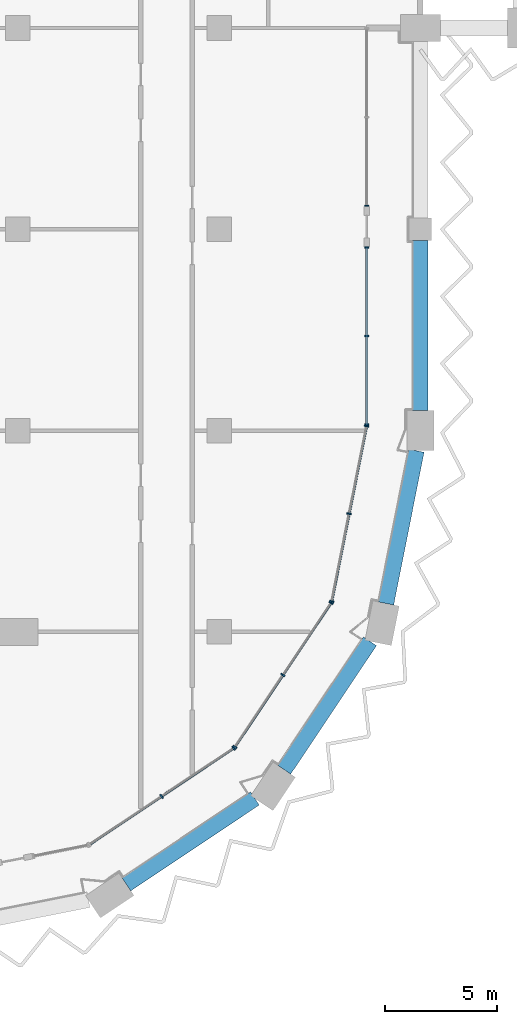
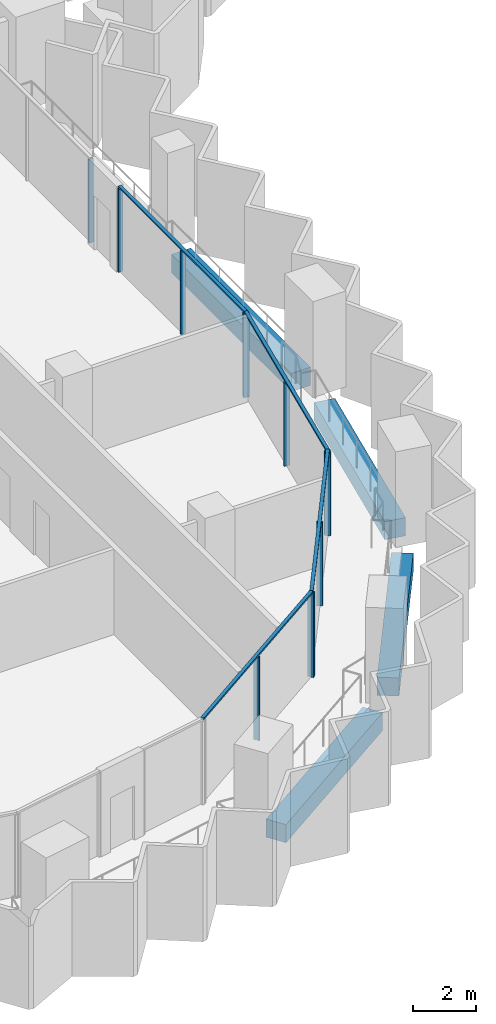
# One storey, part 3 of 17: 16 members, 4 beams, 5 elements without a shape of their own.
"""IFC4 building model written with IfcOpenShell, lengths in metres."""

import ifcopenshell
import ifcopenshell.guid

model = None  # the IFC model being written
_history = None  # IfcOwnerHistory: only IFC2X3 demands one
_inside = {}  # id of a spatial element -> (the spatial element, [elements in it])
_under = {}  # id of a project, library or spatial element -> (it, [spatial elements below it])
_declared = {}  # id of a project -> (the project, [libraries it declares])
_typed = {}  # id of a type object -> (the type object, [elements of that type])
_made_of = {}  # id of a material, layer set ... -> (it, [elements and type objects made of it])


def new_model(schema):
    """Start an empty IFC model of exactly this schema.

    Asked for "IFC4X3", IfcOpenShell would pick the latest addendum, in which some entities
    have other attributes; the version numbers below select the first issue.
    IFC2X3 requires an IfcOwnerHistory on every rooted entity: one is made here for all.
    """
    global model, _history
    if schema == "IFC4X3":
        model = ifcopenshell.file(schema_version=(4, 3, 0, 0))
    else:
        model = ifcopenshell.file(schema=schema)
    _inside.clear()
    _under.clear()
    _declared.clear()
    _typed.clear()
    _made_of.clear()
    _history = None
    if model.schema == "IFC2X3":
        org = make("IfcOrganization", Name="unknown")
        user = make(
            "IfcPersonAndOrganization",
            ThePerson=make("IfcPerson", FamilyName="unknown"),
            TheOrganization=org,
        )
        app = make(
            "IfcApplication",
            ApplicationDeveloper=org,
            Version="unknown",
            ApplicationFullName="unknown",
            ApplicationIdentifier="unknown",
        )
        _history = make(
            "IfcOwnerHistory",
            OwningUser=user,
            OwningApplication=app,
            ChangeAction="ADDED",
            CreationDate=0,
        )
    return model


def make(cls, **values):
    """One entity of the class cls with the attributes given. An attribute that is None is left unset."""
    return model.create_entity(
        cls, **{name: value for name, value in values.items() if value is not None}
    )


def rooted(cls, **values):
    """An entity with a GlobalId (a new one), such as an element, a storey or a relation."""
    return make(cls, GlobalId=ifcopenshell.guid.new(), OwnerHistory=_history, **values)


def si_unit(unit_type, name, prefix=None):
    """IfcSIUnit, for example si_unit("LENGTHUNIT", "METRE", prefix="MILLI")."""
    return make("IfcSIUnit", UnitType=unit_type, Prefix=prefix, Name=name)


def assignment(units):
    """IfcUnitAssignment: the units of a project."""
    return None if units is None else make("IfcUnitAssignment", Units=units)


def point(xyz):
    """IfcCartesianPoint."""
    return None if xyz is None else make("IfcCartesianPoint", Coordinates=xyz)


def direction(xyz):
    """IfcDirection."""
    return None if xyz is None else make("IfcDirection", DirectionRatios=xyz)


def frame(location, z_axis=None, x_axis=None):
    """IfcAxis2Placement3D, a coordinate frame: its origin and axes. An axis left out is left unset."""
    return make(
        "IfcAxis2Placement3D",
        Location=point(location),
        Axis=direction(z_axis),
        RefDirection=direction(x_axis),
    )


def frame_2d(location, x_axis=None):
    """IfcAxis2Placement2D, a coordinate frame in the plane: its origin and x axis."""
    return make(
        "IfcAxis2Placement2D", Location=point(location), RefDirection=direction(x_axis)
    )


def origin():
    """The frame at (0, 0, 0) with its axes left unset."""
    return frame((0.0, 0.0, 0.0))


def origin_2d():
    """The frame at (0, 0) in the plane with its x axis left unset."""
    return frame_2d((0.0, 0.0))


def place(relative_to, where):
    """IfcLocalPlacement: puts the frame where relative to a parent placement (None: the world)."""
    return make(
        "IfcLocalPlacement", PlacementRelTo=relative_to, RelativePlacement=where
    )


def context(
    kind, dimensions, precision=None, world=None, true_north=None, identifier=None
):
    """IfcGeometricRepresentationContext, for example the 3D "Model" context."""
    return make(
        "IfcGeometricRepresentationContext",
        ContextIdentifier=identifier,
        ContextType=kind,
        CoordinateSpaceDimension=dimensions,
        Precision=precision,
        WorldCoordinateSystem=world,
        TrueNorth=true_north,
    )


def subcontext(parent, identifier, kind, view, scale=None):
    """IfcGeometricRepresentationSubContext, for example "Body" below "Model"."""
    return make(
        "IfcGeometricRepresentationSubContext",
        ContextIdentifier=identifier,
        ContextType=kind,
        ParentContext=parent,
        TargetScale=scale,
        TargetView=view,
    )


def project(units=None, contexts=None):
    """IfcProject with its units and contexts."""
    return rooted(
        "IfcProject",
        Name="project",
        RepresentationContexts=contexts,
        UnitsInContext=assignment(units),
    )


def spatial(cls, under=None, at=None, **own):
    """A site, building, storey or space (cls), placed at a placement, below another one or the project."""
    s = rooted(cls, ObjectPlacement=at, **own)
    if under is not None:
        _under.setdefault(under.id(), (under, []))[1].append(s)
    return s


def profile(cls, at=None, kind="AREA", **sizes):
    """A parametric profile (cls). Its sizes go by their IFC names, for example OverallWidth=200.0."""
    return make(cls, ProfileType=kind, Position=at, **sizes)


def rectangle(**sizes):
    """IfcRectangleProfileDef."""
    return profile("IfcRectangleProfileDef", **sizes)


def extrude(swept, where, along, depth):
    """IfcExtrudedAreaSolid: the profile swept, set in the frame where, extruded along a direction by depth."""
    return make(
        "IfcExtrudedAreaSolid",
        SweptArea=swept,
        Position=where,
        ExtrudedDirection=direction(along),
        Depth=depth,
    )


def shape(context_of_items, identifier, shape_type, items):
    """IfcShapeRepresentation: the items that make up one representation, for example the "Body"."""
    return make(
        "IfcShapeRepresentation",
        ContextOfItems=context_of_items,
        RepresentationIdentifier=identifier,
        RepresentationType=shape_type,
        Items=items,
    )


def material(Name=None, Category=None):
    """IfcMaterial."""
    return make("IfcMaterial", Name=Name, Category=Category)


def material_profile(
    of_material, cross_section, Name=None, Category=None, Priority=None
):
    """IfcMaterialProfile: a cross section and its material."""
    return make(
        "IfcMaterialProfile",
        Name=Name,
        Material=of_material,
        Profile=cross_section,
        Priority=Priority,
        Category=Category,
    )


def profile_set(profiles, Name=None, composite=None):
    """IfcMaterialProfileSet."""
    return make(
        "IfcMaterialProfileSet",
        Name=Name,
        MaterialProfiles=profiles,
        CompositeProfile=composite,
    )


def made_of(thing, what):
    """Note that an element or type object is made of a material, layer set ...; save() writes the relation."""
    if what is not None:
        _made_of.setdefault(what.id(), (what, []))[1].append(thing)
    return thing


def type_object(cls, material=None, **own):
    """A type object (cls), such as IfcWallType, which elements share."""
    return made_of(rooted(cls, **own), material)


def element(
    cls,
    number,
    at=None,
    inside=None,
    cuts=None,
    type_object=None,
    material=None,
    context=None,
    identifier="Body",
    shape_type=None,
    held_by="IfcProductDefinitionShape",
    body=None,
    shapes=None,
    **own,
):
    """One element of the class cls, such as IfcWall. Its Tag is "e" and its number.

    at: its placement. inside: the storey or other place that contains it. cuts: it is an
    opening in that element (IfcRelVoidsElement). A single representation is given by context,
    identifier, shape_type and body (its items); several are given by shapes. held_by: the class
    of the entity that holds the representations. save() writes the other relations.
    """
    e = rooted(cls, Tag="e%d" % number, ObjectPlacement=at, **own)
    if body is not None:
        shapes = [shape(context, identifier, shape_type, body)]
    if shapes is not None:
        e.Representation = make(held_by, Representations=shapes)
    if inside is not None:
        _inside.setdefault(inside.id(), (inside, []))[1].append(e)
    if cuts is not None:
        rooted(
            "IfcRelVoidsElement", RelatingBuildingElement=cuts, RelatedOpeningElement=e
        )
    if type_object is not None:
        _typed.setdefault(type_object.id(), (type_object, []))[1].append(e)
    return made_of(e, material)


def aggregate(whole, parts):
    """IfcRelAggregates: a whole, such as a stair, and the parts it consists of."""
    return rooted("IfcRelAggregates", RelatingObject=whole, RelatedObjects=parts)


def save(model, path):
    """Write the relations noted so far, then the file.

    IfcRelAggregates (storeys below a building ...), IfcRelContainedInSpatialStructure (elements
    in a storey), IfcRelDefinesByType, IfcRelAssociatesMaterial and IfcRelDeclares: one each for
    every whole, place, type object, material and project.
    """
    for whole, parts in _under.values():
        aggregate(whole, parts)
    for where, things in _inside.values():
        rooted(
            "IfcRelContainedInSpatialStructure",
            RelatedElements=things,
            RelatingStructure=where,
        )
    for kind, things in _typed.values():
        rooted("IfcRelDefinesByType", RelatedObjects=things, RelatingType=kind)
    for what, things in _made_of.values():
        rooted("IfcRelAssociatesMaterial", RelatedObjects=things, RelatingMaterial=what)
    for by, libraries in _declared.values():
        rooted("IfcRelDeclares", RelatingContext=by, RelatedDefinitions=libraries)
    model.write(path)


model = new_model("IFC4")

# Units and contexts
model_context = context("Model", 3, precision=1e-05, world=origin(), true_north=direction((0.0, 1.0)))
body_context = subcontext(model_context, "Body", "Model", "MODEL_VIEW")
ifc_project = project(units=[si_unit("LENGTHUNIT", "METRE"), si_unit("AREAUNIT", "SQUARE_METRE"), si_unit("VOLUMEUNIT", "CUBIC_METRE"), si_unit("PLANEANGLEUNIT", "RADIAN"), si_unit("MASSUNIT", "GRAM", prefix="KILO")], contexts=[model_context])

# Site, building, storey
site_placement = place(None, origin())
site = spatial("IfcSite", under=ifc_project, at=site_placement, CompositionType="ELEMENT")
building_placement = place(site_placement, origin())
building = spatial("IfcBuilding", under=site, at=building_placement, Name="Hunhe Ridgeline Campus", CompositionType="ELEMENT")
storey_placement = place(building_placement, frame((0.0, 0.0, 186.5)))
storey = spatial("IfcBuildingStorey", under=building, at=storey_placement, Name="L47", CompositionType="ELEMENT", Elevation=186.5)

# Curtain wall, members
ifc_material_1 = material(Name="Aluminium 6063", Category="aluminium")
curtain_wall_type_1 = type_object("IfcCurtainWallType", Name="Curtain wall CW-1", PredefinedType="NOTDEFINED", material=ifc_material_1)
curtain_wall_1_placement = place(storey_placement, origin())
curtain_wall_1 = element("IfcCurtainWall", 1, at=curtain_wall_1_placement, inside=storey, type_object=curtain_wall_type_1, Name="Curtain wall 11", PredefinedType="NOTDEFINED")
ifc_material_profile_1 = material_profile(ifc_material_1, rectangle(XDim=0.159912109375, YDim=0.06005859375, at=origin_2d()))
ifc_profile_set_1 = profile_set([ifc_material_profile_1], Name="Aluminium 6063")
member_type_1 = type_object("IfcMemberType", Name="CW-1 aluminium mullion", PredefinedType="MULLION", material=ifc_profile_set_1)
member_1_placement = place(storey_placement, frame((42.59912109375, 36.266357421875, 0.0), z_axis=(0.0, 0.0, 1.0), x_axis=(-0.999999999978, 6.639948e-06, 0.0)))
member_1 = element("IfcMember", 2, at=member_1_placement, type_object=member_type_1, Name="CW-1 mullion 1", PredefinedType="MULLION", context=body_context, shape_type="SweptSolid", body=[
    extrude(rectangle(XDim=0.159912109375, YDim=0.06005859375, at=origin_2d()), origin(), (0.0, 0.0, 1.0), 3.239990234375),
])
member_2_placement = place(storey_placement, frame((42.59912109375, 40.2275390625, 0.0), z_axis=(0.0, 0.0, 1.0), x_axis=(-0.999999999978, 6.639948e-06, 0.0)))
member_2 = element("IfcMember", 3, at=member_2_placement, type_object=member_type_1, Name="CW-1 mullion 2", PredefinedType="MULLION", context=body_context, shape_type="SweptSolid", body=[
    extrude(rectangle(XDim=0.159912109375, YDim=0.06005859375, at=origin_2d()), origin(), (0.0, 0.0, 1.0), 3.239990234375),
])
member_3_placement = place(storey_placement, frame((42.59912109375, 44.1884765625, 0.0), z_axis=(0.0, 0.0, 1.0), x_axis=(-0.999999999978, 6.639948e-06, 0.0)))
member_3 = element("IfcMember", 4, at=member_3_placement, type_object=member_type_1, Name="CW-1 mullion 3", PredefinedType="MULLION", context=body_context, shape_type="SweptSolid", body=[
    extrude(rectangle(XDim=0.159912109375, YDim=0.06005859375, at=origin_2d()), origin(), (0.0, 0.0, 1.0), 3.239990234375),
])

# Curtain wall, member
curtain_wall_2_placement = place(storey_placement, origin())
curtain_wall_2 = element("IfcCurtainWall", 5, at=curtain_wall_2_placement, inside=storey, type_object=curtain_wall_type_1, Name="Curtain wall 12", PredefinedType="NOTDEFINED")
member_4_placement = place(storey_placement, frame((42.59912109375, 46.048583984375, 0.0), z_axis=(0.0, 0.0, 1.0), x_axis=(-0.999999999978, 6.639948e-06, 0.0)))
member_4 = element("IfcMember", 6, at=member_4_placement, type_object=member_type_1, Name="CW-1 mullion 1", PredefinedType="MULLION", context=body_context, shape_type="SweptSolid", body=[
    extrude(rectangle(XDim=0.159912109375, YDim=0.06005859375, at=origin_2d()), origin(), (0.0, 0.0, 1.0), 3.239990234375),
])
aggregate(curtain_wall_2, [member_4])

# Member
ifc_material_profile_2 = material_profile(ifc_material_1, rectangle(XDim=0.1201171875, YDim=0.06005859375, at=origin_2d()))
ifc_profile_set_2 = profile_set([ifc_material_profile_2], Name="Aluminium 6063")
member_type_2 = type_object("IfcMemberType", Name="CW-1 aluminium transom", PredefinedType="USERDEFINED", material=ifc_profile_set_2)
member_5_placement = place(storey_placement, frame((42.59912109375, 36.236572265625, 3.27001953125), z_axis=(0.0, 1.0, 0.0), x_axis=(-1.0, 0.0, 0.0)))
member_5 = element("IfcMember", 7, at=member_5_placement, type_object=member_type_2, Name="CW-1 transom 1", ObjectType="TRANSOM", PredefinedType="USERDEFINED", context=body_context, shape_type="SweptSolid", body=[
    extrude(rectangle(XDim=0.1201171875, YDim=0.06005859375, at=origin_2d()), origin(), (0.0, 0.0, 1.0), 7.98193359375),
])

aggregate(curtain_wall_1, [member_5, member_1, member_2, member_3])

# Curtain wall, members
curtain_wall_type_2 = type_object("IfcCurtainWallType", Name="Curtain wall CW-5", PredefinedType="NOTDEFINED", material=ifc_material_1)
curtain_wall_3_placement = place(storey_placement, origin())
curtain_wall_3 = element("IfcCurtainWall", 8, at=curtain_wall_3_placement, inside=storey, type_object=curtain_wall_type_2, Name="Curtain wall 08", PredefinedType="NOTDEFINED")
ifc_material_profile_3 = material_profile(ifc_material_1, rectangle(XDim=0.199951171875, YDim=0.070068359375, at=origin_2d()))
ifc_profile_set_3 = profile_set([ifc_material_profile_3], Name="Aluminium 6063")
member_type_3 = type_object("IfcMemberType", Name="CW-5 aluminium mullion", PredefinedType="MULLION", material=ifc_profile_set_3)
member_6_placement = place(storey_placement, frame((33.42626953125, 19.647705078125, 0.0), z_axis=(0.0, 0.0, 1.0), x_axis=(-0.555570274596, 0.831469584522, 0.0)))
member_6 = element("IfcMember", 9, at=member_6_placement, type_object=member_type_3, Name="CW-5 mullion 2", PredefinedType="MULLION", context=body_context, shape_type="SweptSolid", body=[
    extrude(rectangle(XDim=0.199951171875, YDim=0.070068359375, at=origin_2d()), origin(), (0.0, 0.0, 1.0), 3.22998046875),
])
member_7_placement = place(storey_placement, frame((36.649658203125, 21.8017578125, 0.0), z_axis=(0.0, 0.0, 1.0), x_axis=(-0.555570274596, 0.831469584522, 0.0)))
member_7 = element("IfcMember", 10, at=member_7_placement, type_object=member_type_3, Name="CW-5 mullion 3", PredefinedType="MULLION", context=body_context, shape_type="SweptSolid", body=[
    extrude(rectangle(XDim=0.199951171875, YDim=0.070068359375, at=origin_2d()), origin(), (0.0, 0.0, 1.0), 3.22998046875),
])

curtain_wall_4_placement = place(storey_placement, origin())
curtain_wall_4 = element("IfcCurtainWall", 11, at=curtain_wall_4_placement, inside=storey, type_object=curtain_wall_type_2, Name="Curtain wall 09", PredefinedType="NOTDEFINED")
member_8_placement = place(storey_placement, frame((36.6982421875, 21.850341796875, 0.0), z_axis=(0.0, 0.0, 1.0), x_axis=(-0.831469584522, 0.555570274596, 0.0)))
member_8 = element("IfcMember", 12, at=member_8_placement, type_object=member_type_3, Name="CW-5 mullion 1", PredefinedType="MULLION", context=body_context, shape_type="SweptSolid", body=[
    extrude(rectangle(XDim=0.199951171875, YDim=0.070068359375, at=origin_2d()), origin(), (0.0, 0.0, 1.0), 3.22998046875),
])
member_9_placement = place(storey_placement, frame((38.852294921875, 25.07373046875, 0.0), z_axis=(0.0, 0.0, 1.0), x_axis=(-0.831469584522, 0.555570274596, 0.0)))
member_9 = element("IfcMember", 13, at=member_9_placement, type_object=member_type_3, Name="CW-5 mullion 2", PredefinedType="MULLION", context=body_context, shape_type="SweptSolid", body=[
    extrude(rectangle(XDim=0.199951171875, YDim=0.070068359375, at=origin_2d()), origin(), (0.0, 0.0, 1.0), 3.22998046875),
])
member_10_placement = place(storey_placement, frame((41.006103515625, 28.29736328125, 0.0), z_axis=(0.0, 0.0, 1.0), x_axis=(-0.831469584522, 0.555570274596, 0.0)))
member_10 = element("IfcMember", 14, at=member_10_placement, type_object=member_type_3, Name="CW-5 mullion 3", PredefinedType="MULLION", context=body_context, shape_type="SweptSolid", body=[
    extrude(rectangle(XDim=0.199951171875, YDim=0.070068359375, at=origin_2d()), origin(), (0.0, 0.0, 1.0), 3.22998046875),
])

curtain_wall_5_placement = place(storey_placement, origin())
curtain_wall_5 = element("IfcCurtainWall", 15, at=curtain_wall_5_placement, inside=storey, type_object=curtain_wall_type_2, Name="Curtain wall 10", PredefinedType="NOTDEFINED")
member_11_placement = place(storey_placement, frame((41.032470703125, 28.36083984375, 0.0), z_axis=(0.0, 0.0, 1.0), x_axis=(-0.980785284939, 0.195090299215, 0.0)))
member_11 = element("IfcMember", 16, at=member_11_placement, type_object=member_type_3, Name="CW-5 mullion 1", PredefinedType="MULLION", context=body_context, shape_type="SweptSolid", body=[
    extrude(rectangle(XDim=0.199951171875, YDim=0.070068359375, at=origin_2d()), origin(), (0.0, 0.0, 1.0), 3.22998046875),
])
member_12_placement = place(storey_placement, frame((41.812255859375, 32.281494140625, 0.0), z_axis=(0.0, 0.0, 1.0), x_axis=(-0.980785284939, 0.195090299215, 0.0)))
member_12 = element("IfcMember", 17, at=member_12_placement, type_object=member_type_3, Name="CW-5 mullion 2", PredefinedType="MULLION", context=body_context, shape_type="SweptSolid", body=[
    extrude(rectangle(XDim=0.199951171875, YDim=0.070068359375, at=origin_2d()), origin(), (0.0, 0.0, 1.0), 3.22998046875),
])
member_13_placement = place(storey_placement, frame((42.59228515625, 36.2021484375, 0.0), z_axis=(0.0, 0.0, 1.0), x_axis=(-0.980785284939, 0.195090299215, 0.0)))
member_13 = element("IfcMember", 18, at=member_13_placement, type_object=member_type_3, Name="CW-5 mullion 3", PredefinedType="MULLION", context=body_context, shape_type="SweptSolid", body=[
    extrude(rectangle(XDim=0.199951171875, YDim=0.070068359375, at=origin_2d()), origin(), (0.0, 0.0, 1.0), 3.22998046875),
])

# Member
ifc_material_profile_4 = material_profile(ifc_material_1, rectangle(XDim=0.1201171875, YDim=0.070068359375, at=origin_2d()))
ifc_profile_set_4 = profile_set([ifc_material_profile_4], Name="Aluminium 6063")
member_type_4 = type_object("IfcMemberType", Name="CW-5 aluminium transom", PredefinedType="USERDEFINED", material=ifc_profile_set_4)
member_14_placement = place(storey_placement, frame((30.173583984375, 17.474365234375, 3.264892578125), z_axis=(0.831473763475, 0.5555640203, 0.0), x_axis=(-0.5555640203, 0.831473763475, 0.0)))
member_14 = element("IfcMember", 19, at=member_14_placement, type_object=member_type_4, Name="CW-5 transom 1", ObjectType="TRANSOM", PredefinedType="USERDEFINED", context=body_context, shape_type="SweptSolid", body=[
    extrude(rectangle(XDim=0.1201171875, YDim=0.070068359375, at=origin_2d()), origin(), (0.0, 0.0, 1.0), 7.823974609375),
])

aggregate(curtain_wall_3, [member_14, member_6, member_7])

member_15_placement = place(storey_placement, frame((36.678955078125, 21.821044921875, 3.264892578125), z_axis=(0.5555640203, 0.831473763475, 0.0), x_axis=(-0.831473763475, 0.5555640203, 0.0)))
member_15 = element("IfcMember", 20, at=member_15_placement, type_object=member_type_4, Name="CW-5 transom 1", ObjectType="TRANSOM", PredefinedType="USERDEFINED", context=body_context, shape_type="SweptSolid", body=[
    extrude(rectangle(XDim=0.1201171875, YDim=0.070068359375, at=origin_2d()), origin(), (0.0, 0.0, 1.0), 7.823974609375),
])

aggregate(curtain_wall_4, [member_15, member_8, member_9, member_10])

member_16_placement = place(storey_placement, frame((41.025634765625, 28.326416015625, 3.264892578125), z_axis=(0.195097290093, 0.980783894341, 0.0), x_axis=(-0.980783894341, 0.195097290093, 0.0)))
member_16 = element("IfcMember", 21, at=member_16_placement, type_object=member_type_4, Name="CW-5 transom 1", ObjectType="TRANSOM", PredefinedType="USERDEFINED", context=body_context, shape_type="SweptSolid", body=[
    extrude(rectangle(XDim=0.1201171875, YDim=0.070068359375, at=origin_2d()), origin(), (0.0, 0.0, 1.0), 8.065185546875),
])

aggregate(curtain_wall_5, [member_16, member_11, member_12, member_13])

# Beams
ifc_material_2 = material(Name="Concrete C50", Category="concrete")
ifc_material_profile_5 = material_profile(ifc_material_2, rectangle(XDim=0.699951171875, YDim=0.699951171875, at=origin_2d()))
ifc_profile_set_5 = profile_set([ifc_material_profile_5], Name="Concrete C50")
beam_type = type_object("IfcBeamType", Name="RC spandrel beam 700x700 Concrete C50", PredefinedType="SPANDREL", material=ifc_profile_set_5)
for number, where, z_axis, x_axis, name in (
    (22, (31.858642578125, 15.712646484375, -0.60009765625), (0.831467796868, 0.55557295, 0.0), (-0.55557295, 0.831467796868, 0.0), "Spandrel beam B3-6 L47"),
    (23, (38.909912109375, 20.83837890625, -0.60009765625), (0.55557295, 0.831467796868, 0.0), (-0.831467796868, 0.55557295, 0.0), "Spandrel beam B3-7 L47"),
):
    element("IfcBeam", number, at=place(storey_placement, frame(where, z_axis=z_axis, x_axis=x_axis)), inside=storey, type_object=beam_type, Name=name, PredefinedType="SPANDREL", context=body_context, shape_type="SweptSolid", body=[
        extrude(rectangle(XDim=0.699951171875, YDim=0.699951171875, at=origin_2d()), origin(), (0.0, 0.0, 1.0), 6.905029296875),
    ])
beam_1_placement = place(storey_placement, frame((43.462890625, 28.272216796875, -0.60009765625), z_axis=(0.195090923217, 0.980785160817, 0.0), x_axis=(-0.980785160817, 0.195090923217, 0.0)))
element("IfcBeam", 24, at=beam_1_placement, inside=storey, type_object=beam_type, Name="Spandrel beam B3-8 L47", PredefinedType="SPANDREL", context=body_context, shape_type="SweptSolid", body=[
    extrude(rectangle(XDim=0.699951171875, YDim=0.699951171875, at=origin_2d()), origin(), (0.0, 0.0, 1.0), 6.961669921875),
])
beam_2_placement = place(storey_placement, frame((45.0, 36.89990234375, -0.60009765625), z_axis=(0.0, 1.0, 0.0), x_axis=(-1.0, 0.0, 0.0)))
element("IfcBeam", 25, at=beam_2_placement, inside=storey, type_object=beam_type, Name="Spandrel beam B3-9 L47", PredefinedType="SPANDREL", context=body_context, shape_type="SweptSolid", body=[
    extrude(rectangle(XDim=0.699951171875, YDim=0.699951171875, at=origin_2d()), origin(), (0.0, 0.0, 1.0), 7.60009765625),
])

save(model, "model.ifc")
